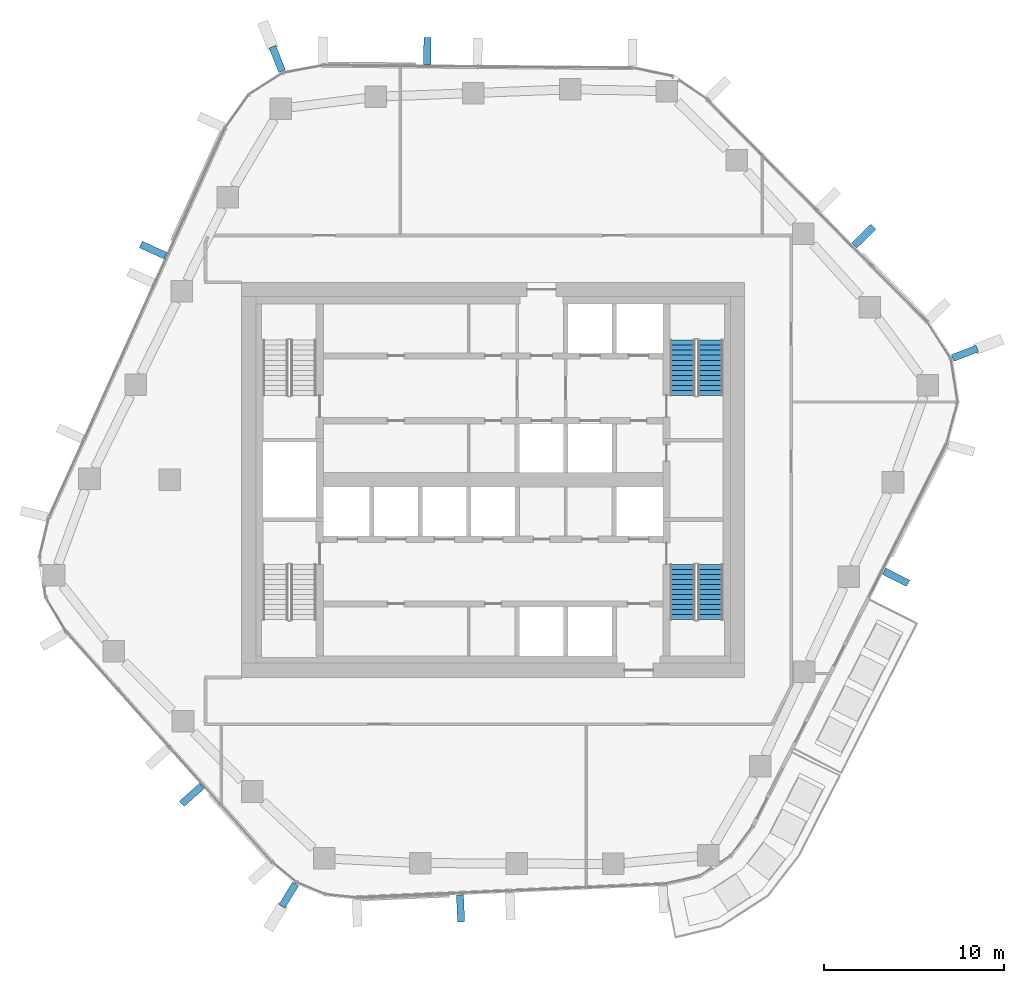
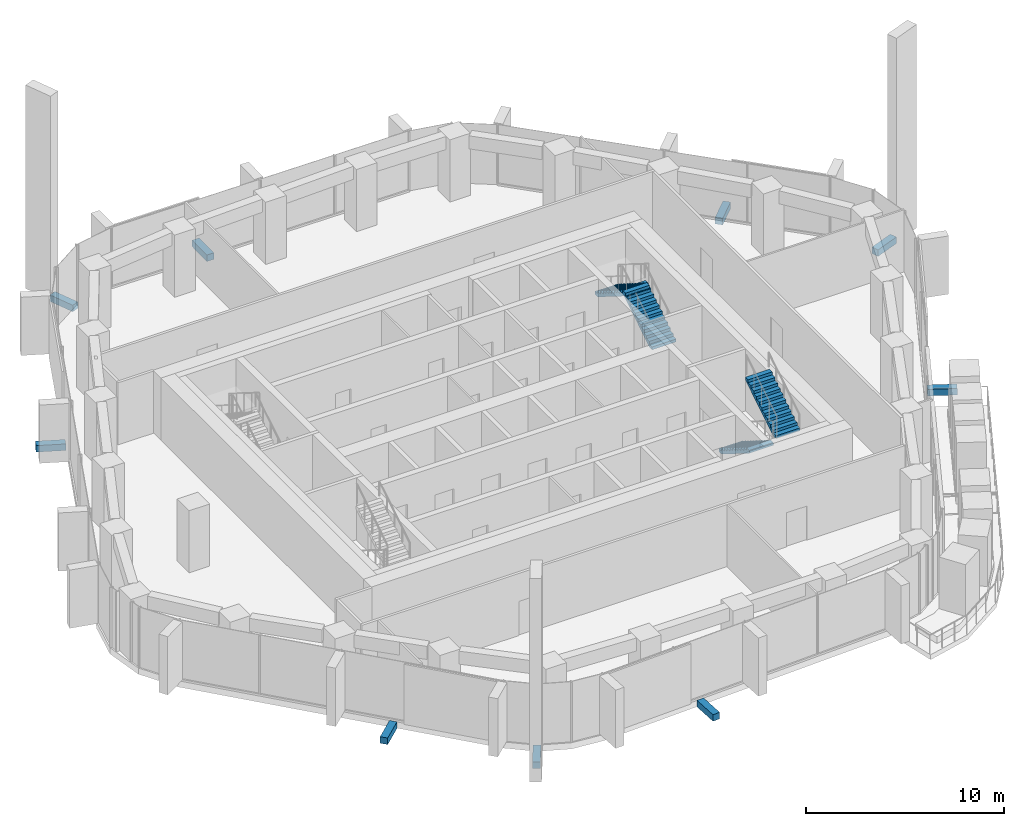
# One storey, part 13 of 18: 9 discrete accessories, 4 stair flights, 2 elements without a shape of their own.
"""IFC4 building model written with IfcOpenShell, lengths in metres."""

from ifc_helpers import new_model, si_unit, direction, frame, origin, origin_2d, place, context, subcontext, project, spatial, polyline, rectangle, outline, extrude, material, layer, layer_set, type_object, element, aggregate, save


model = new_model("IFC4")

# Units and contexts
model_context = context("Model", 3, precision=1e-05, world=origin(), true_north=direction((0.0, 1.0)))
body_context = subcontext(model_context, "Body", "Model", "MODEL_VIEW")
ifc_project = project(units=[si_unit("LENGTHUNIT", "METRE"), si_unit("AREAUNIT", "SQUARE_METRE"), si_unit("VOLUMEUNIT", "CUBIC_METRE"), si_unit("PLANEANGLEUNIT", "RADIAN"), si_unit("MASSUNIT", "GRAM", prefix="KILO")], contexts=[model_context])

# Site, building, storey
site_placement = place(None, origin())
site = spatial("IfcSite", under=ifc_project, at=site_placement, CompositionType="ELEMENT")
building_placement = place(site_placement, origin())
building = spatial("IfcBuilding", under=site, at=building_placement, Name="Dongbaek Canopy Tower", CompositionType="ELEMENT")
storey_placement = place(building_placement, frame((0.0, 0.0, 171.199951171875)))
storey = spatial("IfcBuildingStorey", under=building, at=storey_placement, Name="L37", CompositionType="ELEMENT", Elevation=171.199951171875)

# Stair, stair flights
ifc_material_1 = material(Name="Concrete C40/50", Category="concrete")
stair_type = type_object("IfcStairType", Name="Core exit stair", PredefinedType="HALF_TURN_STAIR", material=ifc_material_1)
stair_1_placement = place(storey_placement, origin())
stair_1 = element("IfcStair", 1, at=stair_1_placement, inside=storey, type_object=stair_type, Name="L37 exit stair A", PredefinedType="HALF_TURN_STAIR")
ifc_material_2 = material(Name="Concrete C40/50", Category="concrete")
ifc_layer = layer(ifc_material_2, 0.14990234375)
ifc_layer_set = layer_set([ifc_layer], Name="Core stair flight 150 waist")
stair_flight_type = type_object("IfcStairFlightType", Name="Core stair flight 150 waist", PredefinedType="STRAIGHT", material=ifc_layer_set)
stair_flight_1_placement = place(storey_placement, frame((12.10009765625, 4.699951171875, 0.0), z_axis=(0.0, 0.0, 1.0), x_axis=(0.0, 1.0, 0.0)))
stair_flight_1 = element("IfcStairFlight", 2, at=stair_flight_1_placement, type_object=stair_flight_type, Name="ST-A flight 1", NumberOfRisers=12, NumberOfTreads=11, PredefinedType="STRAIGHT", RiserHeight=0.175, TreadLength=0.28, context=body_context, shape_type="SweptSolid", body=[
    extrude(outline(polyline([(0.0, 0.0), (0.0, 0.175048828125), (0.280029296875, 0.175048828125), (0.280029296875, 0.35009765625), (0.56005859375, 0.35009765625), (0.56005859375, 0.52490234375), (0.840087890625, 0.52490234375), (0.840087890625, 0.699951171875), (1.1201171875, 0.699951171875), (1.1201171875, 0.875), (1.39990234375, 0.875), (1.39990234375, 1.050048828125), (1.679931640625, 1.050048828125), (1.679931640625, 1.22509765625), (1.9599609375, 1.22509765625), (1.9599609375, 1.39990234375), (2.239990234375, 1.39990234375), (2.239990234375, 1.574951171875), (2.52001953125, 1.574951171875), (2.52001953125, 1.75), (2.800048828125, 1.75), (2.800048828125, 1.925048828125), (3.080078125, 1.925048828125), (3.080078125, 2.10009765625), (3.080078125, 1.748291015625), (0.28271484375, 0.0), (0.0, 0.0)])), frame((0.0, 0.699951171875, 0.0), z_axis=(0.0, -1.0, 0.0), x_axis=(1.0, 0.0, 0.0)), (0.0, 0.0, 1.0), 1.39990234375),
])
stair_flight_2_placement = place(storey_placement, frame((10.550048828125, 7.780029296875, 2.10009765625), z_axis=(0.0, 0.0, 1.0), x_axis=(0.0, -1.0, 0.0)))
stair_flight_2 = element("IfcStairFlight", 3, at=stair_flight_2_placement, type_object=stair_flight_type, Name="ST-A flight 2", NumberOfRisers=12, NumberOfTreads=11, PredefinedType="STRAIGHT", RiserHeight=0.175, TreadLength=0.28, context=body_context, shape_type="SweptSolid", body=[
    extrude(outline(polyline([(0.0, 0.0), (0.0, 0.175048828125), (0.280029296875, 0.175048828125), (0.280029296875, 0.35009765625), (0.56005859375, 0.35009765625), (0.56005859375, 0.52490234375), (0.840087890625, 0.52490234375), (0.840087890625, 0.699951171875), (1.1201171875, 0.699951171875), (1.1201171875, 0.875), (1.39990234375, 0.875), (1.39990234375, 1.050048828125), (1.679931640625, 1.050048828125), (1.679931640625, 1.22509765625), (1.9599609375, 1.22509765625), (1.9599609375, 1.39990234375), (2.239990234375, 1.39990234375), (2.239990234375, 1.574951171875), (2.52001953125, 1.574951171875), (2.52001953125, 1.75), (2.800048828125, 1.75), (2.800048828125, 1.925048828125), (3.080078125, 1.925048828125), (3.080078125, 2.10009765625), (3.080078125, 1.748291015625), (0.28271484375, 0.0), (0.0, 0.0)])), frame((0.0, 0.699951171875, 0.0), z_axis=(0.0, -1.0, 0.0), x_axis=(1.0, 0.0, 0.0)), (0.0, 0.0, 1.0), 1.39990234375),
])
aggregate(stair_1, [stair_flight_1, stair_flight_2])

stair_2_placement = place(storey_placement, origin())
stair_2 = element("IfcStair", 4, at=stair_2_placement, inside=storey, type_object=stair_type, Name="L37 exit stair B", PredefinedType="HALF_TURN_STAIR")
stair_flight_3_placement = place(storey_placement, frame((10.550048828125, -4.699951171875, 0.0), z_axis=(0.0, 0.0, 1.0), x_axis=(0.0, -1.0, 0.0)))
stair_flight_3 = element("IfcStairFlight", 5, at=stair_flight_3_placement, type_object=stair_flight_type, Name="ST-B flight 1", NumberOfRisers=12, NumberOfTreads=11, PredefinedType="STRAIGHT", RiserHeight=0.175, TreadLength=0.28, context=body_context, shape_type="SweptSolid", body=[
    extrude(outline(polyline([(0.0, 0.0), (0.0, 0.175048828125), (0.280029296875, 0.175048828125), (0.280029296875, 0.35009765625), (0.56005859375, 0.35009765625), (0.56005859375, 0.52490234375), (0.840087890625, 0.52490234375), (0.840087890625, 0.699951171875), (1.1201171875, 0.699951171875), (1.1201171875, 0.875), (1.39990234375, 0.875), (1.39990234375, 1.050048828125), (1.679931640625, 1.050048828125), (1.679931640625, 1.22509765625), (1.9599609375, 1.22509765625), (1.9599609375, 1.39990234375), (2.239990234375, 1.39990234375), (2.239990234375, 1.574951171875), (2.52001953125, 1.574951171875), (2.52001953125, 1.75), (2.800048828125, 1.75), (2.800048828125, 1.925048828125), (3.080078125, 1.925048828125), (3.080078125, 2.10009765625), (3.080078125, 1.748291015625), (0.28271484375, 0.0), (0.0, 0.0)])), frame((0.0, 0.699951171875, 0.0), z_axis=(0.0, -1.0, 0.0), x_axis=(1.0, 0.0, 0.0)), (0.0, 0.0, 1.0), 1.39990234375),
])
stair_flight_4_placement = place(storey_placement, frame((12.10009765625, -7.780029296875, 2.10009765625), z_axis=(0.0, 0.0, 1.0), x_axis=(0.0, 1.0, 0.0)))
stair_flight_4 = element("IfcStairFlight", 6, at=stair_flight_4_placement, type_object=stair_flight_type, Name="ST-B flight 2", NumberOfRisers=12, NumberOfTreads=11, PredefinedType="STRAIGHT", RiserHeight=0.175, TreadLength=0.28, context=body_context, shape_type="SweptSolid", body=[
    extrude(outline(polyline([(0.0, 0.0), (0.0, 0.175048828125), (0.280029296875, 0.175048828125), (0.280029296875, 0.35009765625), (0.56005859375, 0.35009765625), (0.56005859375, 0.52490234375), (0.840087890625, 0.52490234375), (0.840087890625, 0.699951171875), (1.1201171875, 0.699951171875), (1.1201171875, 0.875), (1.39990234375, 0.875), (1.39990234375, 1.050048828125), (1.679931640625, 1.050048828125), (1.679931640625, 1.22509765625), (1.9599609375, 1.22509765625), (1.9599609375, 1.39990234375), (2.239990234375, 1.39990234375), (2.239990234375, 1.574951171875), (2.52001953125, 1.574951171875), (2.52001953125, 1.75), (2.800048828125, 1.75), (2.800048828125, 1.925048828125), (3.080078125, 1.925048828125), (3.080078125, 2.10009765625), (3.080078125, 1.748291015625), (0.28271484375, 0.0), (0.0, 0.0)])), frame((0.0, 0.699951171875, 0.0), z_axis=(0.0, -1.0, 0.0), x_axis=(1.0, 0.0, 0.0)), (0.0, 0.0, 1.0), 1.39990234375),
])
aggregate(stair_2, [stair_flight_3, stair_flight_4])

# Discrete accessories
ifc_material_3 = material(Name="Galvanised steel S355 bracket", Category="steel")
discrete_accessory_type = type_object("IfcDiscreteAccessoryType", Name="Crease fin bracket BR3 400", PredefinedType="BRACKET", material=ifc_material_3)
for number, where, z_axis, x_axis, name in (
    (7, (22.4287109375, -5.417236328125, -0.389892578125), (0.0, 0.0, 1.0), (0.892013002142, -0.452009738844, 0.0), "Crease fin bracket L37 F5"),
    (8, (20.635986328125, 13.5703125, -0.389892578125), (0.0, 0.0, 1.0), (0.710990961759, 0.703201146399, 0.0), "Crease fin bracket L37 F0"),
):
    element("IfcDiscreteAccessory", number, at=place(storey_placement, frame(where, z_axis=z_axis, x_axis=x_axis)), inside=storey, type_object=discrete_accessory_type, Name=name, PredefinedType="BRACKET", context=body_context, shape_type="SweptSolid", body=[
        extrude(rectangle(XDim=1.50537109375, YDim=0.39990234375, at=origin_2d()), origin(), (0.0, 0.0, 1.0), 0.39990234375),
    ])
for number, where, z_axis, x_axis, name in (
    (9, (-3.662109375, 23.86962890625, -0.389892578125), (0.0, 0.0, 1.0), (0.007846919787, 0.999969212451, 0.0), "Crease fin bracket L37 F1"),
    (10, (-18.92138671875, 12.791259765625, -0.389892578125), (0.0, 0.0, 1.0), (-0.911147411539, 0.412080567907, 0.0), "Crease fin bracket L37 F2"),
):
    element("IfcDiscreteAccessory", number, at=place(storey_placement, frame(where, z_axis=z_axis, x_axis=x_axis)), inside=storey, type_object=discrete_accessory_type, Name=name, PredefinedType="BRACKET", context=body_context, shape_type="SweptSolid", body=[
        extrude(rectangle(XDim=1.505859375, YDim=0.39990234375, at=origin_2d()), origin(), (0.0, 0.0, 1.0), 0.39990234375),
    ])
for number, where, z_axis, x_axis, name in (
    (11, (-16.767333984375, -17.531494140625, -0.389892578125), (0.0, 0.0, 1.0), (-0.745210704021, -0.666829068512, 0.0), "Crease fin bracket L37 F3"),
    (12, (-1.81103515625, -23.841796875, -0.389892578125), (0.0, 0.0, 1.0), (0.043640311373, -0.9990473078, 0.0), "Crease fin bracket L37 F4"),
):
    element("IfcDiscreteAccessory", number, at=place(storey_placement, frame(where, z_axis=z_axis, x_axis=x_axis)), inside=storey, type_object=discrete_accessory_type, Name=name, PredefinedType="BRACKET", context=body_context, shape_type="SweptSolid", body=[
        extrude(rectangle(XDim=1.505615234375, YDim=0.39990234375, at=origin_2d()), origin(), (0.0, 0.0, 1.0), 0.39990234375),
    ])
for number, where, z_axis, x_axis, name in (
    (13, (26.255126953125, 7.0458984375, -0.389892578125), (0.0, 0.0, 1.0), (0.934627201465, 0.355629012149, 0.0), "Corner fin bracket L37 K0"),
    (14, (-12.010986328125, 23.42529296875, -0.389892578125), (0.0, 0.0, 1.0), (-0.367936304274, 0.929850996664, 0.0), "Corner fin bracket L37 K2"),
    (15, (-11.3681640625, -23.102783203125, -0.389892578125), (0.0, 0.0, 1.0), (-0.519286447955, -0.854600248637, 0.0), "Corner fin bracket L37 K4"),
):
    element("IfcDiscreteAccessory", number, at=place(storey_placement, frame(where, z_axis=z_axis, x_axis=x_axis)), inside=storey, type_object=discrete_accessory_type, Name=name, PredefinedType="BRACKET", context=body_context, shape_type="SweptSolid", body=[
        extrude(rectangle(XDim=1.469970703125, YDim=0.39990234375, at=origin_2d()), origin(), (0.0, 0.0, 1.0), 0.39990234375),
    ])

save(model, "model.ifc")
